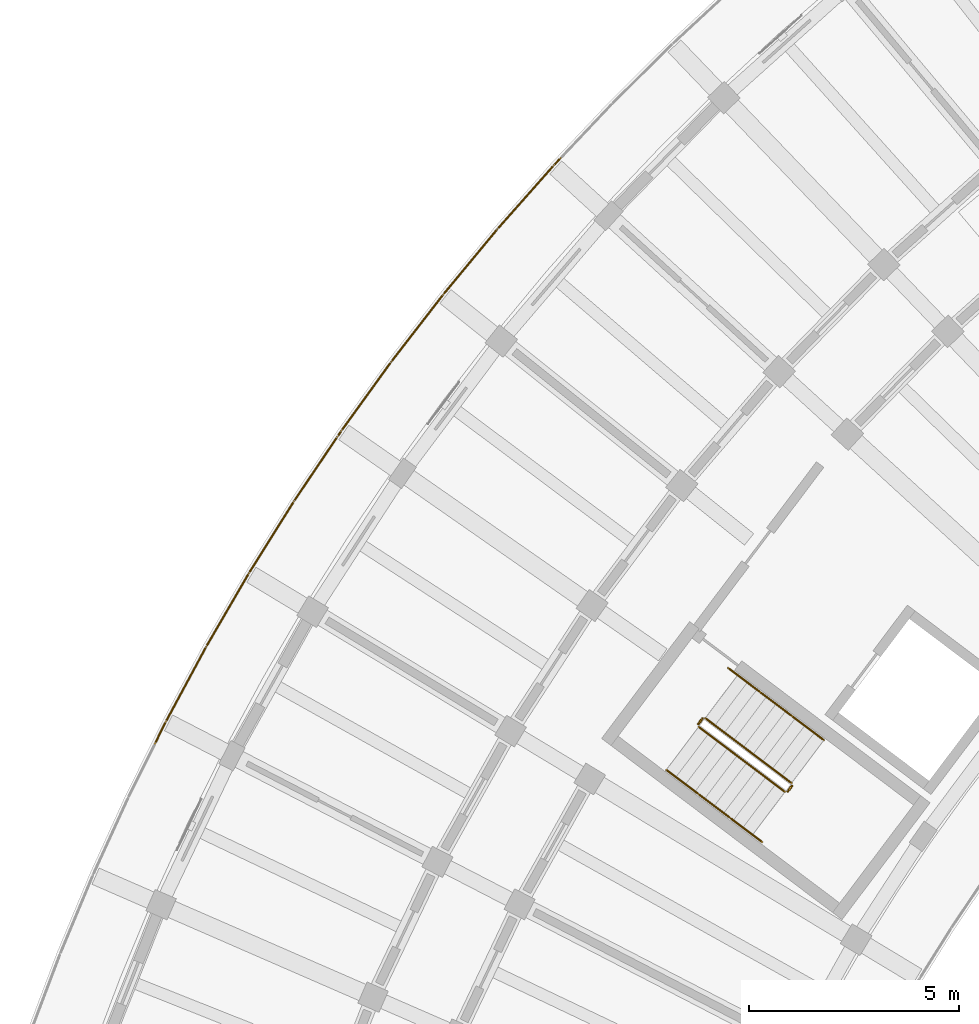
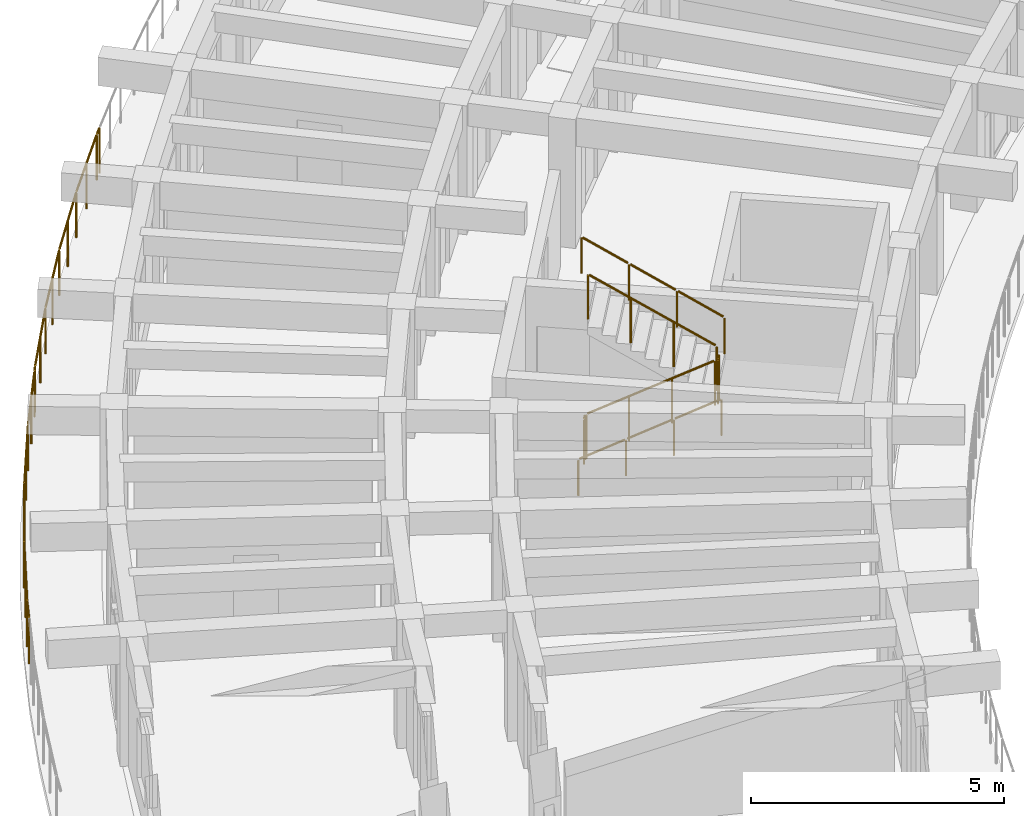
# One storey, part 70 of 81: 12 railings.
"""IFC4 building model written with IfcOpenShell, lengths in metres."""

import ifcopenshell
import ifcopenshell.guid

model = None  # the IFC model being written
_history = None  # IfcOwnerHistory: only IFC2X3 demands one
_inside = {}  # id of a spatial element -> (the spatial element, [elements in it])
_under = {}  # id of a project, library or spatial element -> (it, [spatial elements below it])
_declared = {}  # id of a project -> (the project, [libraries it declares])
_typed = {}  # id of a type object -> (the type object, [elements of that type])
_made_of = {}  # id of a material, layer set ... -> (it, [elements and type objects made of it])


def new_model(schema):
    """Start an empty IFC model of exactly this schema.

    Asked for "IFC4X3", IfcOpenShell would pick the latest addendum, in which some entities
    have other attributes; the version numbers below select the first issue.
    IFC2X3 requires an IfcOwnerHistory on every rooted entity: one is made here for all.
    """
    global model, _history
    if schema == "IFC4X3":
        model = ifcopenshell.file(schema_version=(4, 3, 0, 0))
    else:
        model = ifcopenshell.file(schema=schema)
    _inside.clear()
    _under.clear()
    _declared.clear()
    _typed.clear()
    _made_of.clear()
    _history = None
    if model.schema == "IFC2X3":
        org = make("IfcOrganization", Name="unknown")
        user = make(
            "IfcPersonAndOrganization",
            ThePerson=make("IfcPerson", FamilyName="unknown"),
            TheOrganization=org,
        )
        app = make(
            "IfcApplication",
            ApplicationDeveloper=org,
            Version="unknown",
            ApplicationFullName="unknown",
            ApplicationIdentifier="unknown",
        )
        _history = make(
            "IfcOwnerHistory",
            OwningUser=user,
            OwningApplication=app,
            ChangeAction="ADDED",
            CreationDate=0,
        )
    return model


def make(cls, **values):
    """One entity of the class cls with the attributes given. An attribute that is None is left unset."""
    return model.create_entity(
        cls, **{name: value for name, value in values.items() if value is not None}
    )


def rooted(cls, **values):
    """An entity with a GlobalId (a new one), such as an element, a storey or a relation."""
    return make(cls, GlobalId=ifcopenshell.guid.new(), OwnerHistory=_history, **values)


def si_unit(unit_type, name, prefix=None):
    """IfcSIUnit, for example si_unit("LENGTHUNIT", "METRE", prefix="MILLI")."""
    return make("IfcSIUnit", UnitType=unit_type, Prefix=prefix, Name=name)


def assignment(units):
    """IfcUnitAssignment: the units of a project."""
    return None if units is None else make("IfcUnitAssignment", Units=units)


def point(xyz):
    """IfcCartesianPoint."""
    return None if xyz is None else make("IfcCartesianPoint", Coordinates=xyz)


def direction(xyz):
    """IfcDirection."""
    return None if xyz is None else make("IfcDirection", DirectionRatios=xyz)


def frame(location, z_axis=None, x_axis=None):
    """IfcAxis2Placement3D, a coordinate frame: its origin and axes. An axis left out is left unset."""
    return make(
        "IfcAxis2Placement3D",
        Location=point(location),
        Axis=direction(z_axis),
        RefDirection=direction(x_axis),
    )


def frame_2d(location, x_axis=None):
    """IfcAxis2Placement2D, a coordinate frame in the plane: its origin and x axis."""
    return make(
        "IfcAxis2Placement2D", Location=point(location), RefDirection=direction(x_axis)
    )


def origin():
    """The frame at (0, 0, 0) with its axes left unset."""
    return frame((0.0, 0.0, 0.0))


def origin_2d():
    """The frame at (0, 0) in the plane with its x axis left unset."""
    return frame_2d((0.0, 0.0))


def place(relative_to, where):
    """IfcLocalPlacement: puts the frame where relative to a parent placement (None: the world)."""
    return make(
        "IfcLocalPlacement", PlacementRelTo=relative_to, RelativePlacement=where
    )


def context(
    kind, dimensions, precision=None, world=None, true_north=None, identifier=None
):
    """IfcGeometricRepresentationContext, for example the 3D "Model" context."""
    return make(
        "IfcGeometricRepresentationContext",
        ContextIdentifier=identifier,
        ContextType=kind,
        CoordinateSpaceDimension=dimensions,
        Precision=precision,
        WorldCoordinateSystem=world,
        TrueNorth=true_north,
    )


def subcontext(parent, identifier, kind, view, scale=None):
    """IfcGeometricRepresentationSubContext, for example "Body" below "Model"."""
    return make(
        "IfcGeometricRepresentationSubContext",
        ContextIdentifier=identifier,
        ContextType=kind,
        ParentContext=parent,
        TargetScale=scale,
        TargetView=view,
    )


def project(units=None, contexts=None):
    """IfcProject with its units and contexts."""
    return rooted(
        "IfcProject",
        Name="project",
        RepresentationContexts=contexts,
        UnitsInContext=assignment(units),
    )


def spatial(cls, under=None, at=None, **own):
    """A site, building, storey or space (cls), placed at a placement, below another one or the project."""
    s = rooted(cls, ObjectPlacement=at, **own)
    if under is not None:
        _under.setdefault(under.id(), (under, []))[1].append(s)
    return s


def profile(cls, at=None, kind="AREA", **sizes):
    """A parametric profile (cls). Its sizes go by their IFC names, for example OverallWidth=200.0."""
    return make(cls, ProfileType=kind, Position=at, **sizes)


def circle(**sizes):
    """IfcCircleProfileDef."""
    return profile("IfcCircleProfileDef", **sizes)


def extrude(swept, where, along, depth):
    """IfcExtrudedAreaSolid: the profile swept, set in the frame where, extruded along a direction by depth."""
    return make(
        "IfcExtrudedAreaSolid",
        SweptArea=swept,
        Position=where,
        ExtrudedDirection=direction(along),
        Depth=depth,
    )


def shape(context_of_items, identifier, shape_type, items):
    """IfcShapeRepresentation: the items that make up one representation, for example the "Body"."""
    return make(
        "IfcShapeRepresentation",
        ContextOfItems=context_of_items,
        RepresentationIdentifier=identifier,
        RepresentationType=shape_type,
        Items=items,
    )


def material(Name=None, Category=None):
    """IfcMaterial."""
    return make("IfcMaterial", Name=Name, Category=Category)


def made_of(thing, what):
    """Note that an element or type object is made of a material, layer set ...; save() writes the relation."""
    if what is not None:
        _made_of.setdefault(what.id(), (what, []))[1].append(thing)
    return thing


def type_object(cls, material=None, **own):
    """A type object (cls), such as IfcWallType, which elements share."""
    return made_of(rooted(cls, **own), material)


def element(
    cls,
    number,
    at=None,
    inside=None,
    cuts=None,
    type_object=None,
    material=None,
    context=None,
    identifier="Body",
    shape_type=None,
    held_by="IfcProductDefinitionShape",
    body=None,
    shapes=None,
    **own,
):
    """One element of the class cls, such as IfcWall. Its Tag is "e" and its number.

    at: its placement. inside: the storey or other place that contains it. cuts: it is an
    opening in that element (IfcRelVoidsElement). A single representation is given by context,
    identifier, shape_type and body (its items); several are given by shapes. held_by: the class
    of the entity that holds the representations. save() writes the other relations.
    """
    e = rooted(cls, Tag="e%d" % number, ObjectPlacement=at, **own)
    if body is not None:
        shapes = [shape(context, identifier, shape_type, body)]
    if shapes is not None:
        e.Representation = make(held_by, Representations=shapes)
    if inside is not None:
        _inside.setdefault(inside.id(), (inside, []))[1].append(e)
    if cuts is not None:
        rooted(
            "IfcRelVoidsElement", RelatingBuildingElement=cuts, RelatedOpeningElement=e
        )
    if type_object is not None:
        _typed.setdefault(type_object.id(), (type_object, []))[1].append(e)
    return made_of(e, material)


def aggregate(whole, parts):
    """IfcRelAggregates: a whole, such as a stair, and the parts it consists of."""
    return rooted("IfcRelAggregates", RelatingObject=whole, RelatedObjects=parts)


def save(model, path):
    """Write the relations noted so far, then the file.

    IfcRelAggregates (storeys below a building ...), IfcRelContainedInSpatialStructure (elements
    in a storey), IfcRelDefinesByType, IfcRelAssociatesMaterial and IfcRelDeclares: one each for
    every whole, place, type object, material and project.
    """
    for whole, parts in _under.values():
        aggregate(whole, parts)
    for where, things in _inside.values():
        rooted(
            "IfcRelContainedInSpatialStructure",
            RelatedElements=things,
            RelatingStructure=where,
        )
    for kind, things in _typed.values():
        rooted("IfcRelDefinesByType", RelatedObjects=things, RelatingType=kind)
    for what, things in _made_of.values():
        rooted("IfcRelAssociatesMaterial", RelatedObjects=things, RelatingMaterial=what)
    for by, libraries in _declared.values():
        rooted("IfcRelDeclares", RelatingContext=by, RelatedDefinitions=libraries)
    model.write(path)


model = new_model("IFC4")

# Units and contexts
model_context = context("Model", 3, precision=1e-05, world=origin(), true_north=direction((0.0, 1.0)))
body_context = subcontext(model_context, "Body", "Model", "MODEL_VIEW")
ifc_project = project(units=[si_unit("LENGTHUNIT", "METRE"), si_unit("AREAUNIT", "SQUARE_METRE"), si_unit("VOLUMEUNIT", "CUBIC_METRE"), si_unit("PLANEANGLEUNIT", "RADIAN"), si_unit("MASSUNIT", "GRAM", prefix="KILO")], contexts=[model_context])

# Site, building, storey
site_placement = place(None, origin())
site = spatial("IfcSite", under=ifc_project, at=site_placement, CompositionType="ELEMENT")
building_placement = place(site_placement, origin())
building = spatial("IfcBuilding", under=site, at=building_placement, Name="Tanwirah Colonnade Gardens", CompositionType="ELEMENT")
storey_placement = place(building_placement, frame((0.0, 0.0, 8.840087890625)))
storey = spatial("IfcBuildingStorey", under=building, at=storey_placement, Name="L02", CompositionType="ELEMENT", Elevation=8.840087890625)

# Railings
ifc_material_1 = material(Name="Precast concrete C40/50", Category="concrete")
railing_type_1 = type_object("IfcRailingType", Name="BAL-EXT112", PredefinedType="BALUSTRADE", material=ifc_material_1)
railing_1_placement = place(storey_placement, frame((10.266845703125, 87.8330078125, 0.0)))
element("IfcRailing", 1, at=railing_1_placement, inside=storey, type_object=railing_type_1, Name="Block A L02 Balcony Ribbon Balustrade 12", PredefinedType="BALUSTRADE", context=body_context, shape_type="SweptSolid", body=[
    extrude(circle(Radius=0.02392578125, at=origin_2d()), frame((0.013916015625, 0.028076171875, 1.09619140625), z_axis=(0.444368714855, 0.895843984887, 0.0), x_axis=(-0.895843984887, 0.444368714855, 0.0)), (0.0, 0.0, 1.0), 0.521484375),
    extrude(circle(Radius=0.02392578125, at=origin_2d()), frame((0.2744140625, 0.55078125, 1.09619140625), z_axis=(0.473826102441, 0.88061843306, 0.0), x_axis=(-0.88061843306, 0.473826102441, 0.0)), (0.0, 0.0, 1.0), 1.958740234375),
    extrude(circle(Radius=0.02392578125, at=origin_2d()), frame((1.23291015625, 2.330322265625, 1.09619140625), z_axis=(0.502421024862, 0.864623105045, 0.0), x_axis=(-0.864623105045, 0.502421024862, 0.0)), (0.0, 0.0, 1.0), 1.958984375),
    extrude(circle(Radius=0.02392578125, at=origin_2d()), frame((2.24951171875, 4.07763671875, 1.09619140625), z_axis=(0.530812919598, 0.847489023167, 0.0), x_axis=(-0.847489023167, 0.530812919598, 0.0)), (0.0, 0.0, 1.0), 1.958984375),
    extrude(circle(Radius=0.02392578125, at=origin_2d()), frame((3.3232421875, 5.7900390625, 1.09619140625), z_axis=(0.558315298827, 0.829628849001, 0.0), x_axis=(-0.829628849001, 0.558315298827, 0.0)), (0.0, 0.0, 1.0), 1.789306640625),
    extrude(circle(Radius=0.02099609375, at=origin_2d()), origin(), (0.0, 0.0, 1.0), 1.069091796875),
    extrude(circle(Radius=0.02099609375, at=origin_2d()), frame((0.259521484375, 0.523193359375, 0.0)), (0.0, 0.0, 1.0), 1.069091796875),
    extrude(circle(Radius=0.02099609375, at=origin_2d()), frame((0.73828125, 1.4130859375, 0.0)), (0.0, 0.0, 1.0), 1.069091796875),
    extrude(circle(Radius=0.02099609375, at=origin_2d()), frame((1.21728515625, 2.30322265625, 0.0)), (0.0, 0.0, 1.0), 1.069091796875),
    extrude(circle(Radius=0.02099609375, at=origin_2d()), frame((1.72509765625, 3.17724609375, 0.0)), (0.0, 0.0, 1.0), 1.069091796875),
    extrude(circle(Radius=0.02099609375, at=origin_2d()), frame((2.23291015625, 4.051025390625, 0.0)), (0.0, 0.0, 1.0), 1.069091796875),
    extrude(circle(Radius=0.02099609375, at=origin_2d()), frame((2.76953125, 4.90771484375, 0.0)), (0.0, 0.0, 1.0), 1.069091796875),
    extrude(circle(Radius=0.02099609375, at=origin_2d()), frame((3.305908203125, 5.76416015625, 0.0)), (0.0, 0.0, 1.0), 1.069091796875),
    extrude(circle(Radius=0.02099609375, at=origin_2d()), frame((3.82275390625, 6.5322265625, 0.0)), (0.0, 0.0, 1.0), 1.069091796875),
    extrude(circle(Radius=0.02099609375, at=origin_2d()), frame((4.33984375, 7.300537109375, 0.0)), (0.0, 0.0, 1.0), 1.069091796875),
])
railing_2_placement = place(storey_placement, frame((14.606689453125, 95.133544921875, 0.0)))
element("IfcRailing", 2, at=railing_2_placement, inside=storey, type_object=railing_type_1, Name="Block A L02 Balcony Ribbon Balustrade 13", PredefinedType="BALUSTRADE", context=body_context, shape_type="SweptSolid", body=[
    extrude(circle(Radius=0.02392578125, at=origin_2d()), frame((0.017578125, 0.02587890625, 1.09619140625), z_axis=(0.558681242275, 0.829382462758, 0.0), x_axis=(-0.829382462758, 0.558681242275, 0.0)), (0.0, 0.0, 1.0), 0.10693359375),
    extrude(circle(Radius=0.02392578125, at=origin_2d()), frame((0.113037109375, 0.166015625, 1.09619140625), z_axis=(0.585468507287, 0.810695150457, 0.0), x_axis=(-0.810695150457, 0.585468507287, 0.0)), (0.0, 0.0, 1.0), 1.958984375),
    extrude(circle(Radius=0.02392578125, at=origin_2d()), frame((1.29736328125, 1.80419921875, 1.09619140625), z_axis=(0.611856467608, 0.790968812942, 0.0), x_axis=(-0.790968812942, 0.611856467608, 0.0)), (0.0, 0.0, 1.0), 1.958984375),
    extrude(circle(Radius=0.02392578125, at=origin_2d()), frame((2.53515625, 3.402587890625, 1.09619140625), z_axis=(0.637555355491, 0.770404548717, 0.0), x_axis=(-0.770404548717, 0.637555355491, 0.0)), (0.0, 0.0, 1.0), 1.958984375),
    extrude(circle(Radius=0.02392578125, at=origin_2d()), frame((3.82470703125, 4.959228515625, 1.09619140625), z_axis=(0.662607760508, 0.748966591854, 0.0), x_axis=(-0.748966591854, 0.662607760508, 0.0)), (0.0, 0.0, 1.0), 1.958740234375),
    extrude(circle(Radius=0.02392578125, at=origin_2d()), frame((5.164794921875, 6.472412109375, 1.09619140625), z_axis=(0.686858017599, 0.726791623273, 0.0), x_axis=(-0.726791623273, 0.686858017599, 0.0)), (0.0, 0.0, 1.0), 0.18212890625),
    extrude(circle(Radius=0.02099609375, at=origin_2d()), origin(), (0.0, 0.0, 1.0), 1.069091796875),
    extrude(circle(Radius=0.02099609375, at=origin_2d()), frame((0.0947265625, 0.140625, 0.0)), (0.0, 0.0, 1.0), 1.069091796875),
    extrude(circle(Radius=0.02099609375, at=origin_2d()), frame((0.6865234375, 0.9599609375, 0.0)), (0.0, 0.0, 1.0), 1.069091796875),
    extrude(circle(Radius=0.02099609375, at=origin_2d()), frame((1.2783203125, 1.779541015625, 0.0)), (0.0, 0.0, 1.0), 1.069091796875),
    extrude(circle(Radius=0.02099609375, at=origin_2d()), frame((1.896728515625, 2.5791015625, 0.0)), (0.0, 0.0, 1.0), 1.069091796875),
    extrude(circle(Radius=0.02099609375, at=origin_2d()), frame((2.51513671875, 3.37841796875, 0.0)), (0.0, 0.0, 1.0), 1.069091796875),
    extrude(circle(Radius=0.02099609375, at=origin_2d()), frame((3.15966796875, 4.1572265625, 0.0)), (0.0, 0.0, 1.0), 1.069091796875),
    extrude(circle(Radius=0.02099609375, at=origin_2d()), frame((3.803955078125, 4.935791015625, 0.0)), (0.0, 0.0, 1.0), 1.069091796875),
    extrude(circle(Radius=0.02099609375, at=origin_2d()), frame((4.4736328125, 5.69287109375, 0.0)), (0.0, 0.0, 1.0), 1.069091796875),
    extrude(circle(Radius=0.02099609375, at=origin_2d()), frame((5.143310546875, 6.44970703125, 0.0)), (0.0, 0.0, 1.0), 1.069091796875),
    extrude(circle(Radius=0.02099609375, at=origin_2d()), frame((5.311279296875, 6.62744140625, 0.0)), (0.0, 0.0, 1.0), 1.069091796875),
])
ifc_material_2 = material(Name="Powder-coated galvanized steel", Category="steel")
railing_type_2 = type_object("IfcRailingType", Name="GRD-ST110", PredefinedType="GUARDRAIL", material=ifc_material_2)
railing_3_placement = place(storey_placement, frame((23.201416015625, 88.22900390625, 0.16796875)))
element("IfcRailing", 3, at=railing_3_placement, inside=storey, type_object=railing_type_2, Name="L02 ST-A2 stair guard 1", PredefinedType="GUARDRAIL", context=body_context, shape_type="SweptSolid", body=[
    extrude(circle(Radius=0.02392578125, at=origin_2d()), frame((0.021484375, -0.01611328125, 1.092041015625), z_axis=(0.688012363654, -0.518448596756, 0.507789365762), x_axis=(0.601810650199, 0.798638805285, 0.0)), (0.0, 0.0, 1.0), 2.9150390625),
    extrude(circle(Radius=0.02099609375, at=origin_2d()), origin(), (0.0, 0.0, 1.0), 1.049072265625),
    extrude(circle(Radius=0.02099609375, at=origin_2d()), frame((0.682861328125, -0.5146484375, 0.50390625)), (0.0, 0.0, 1.0), 1.049072265625),
    extrude(circle(Radius=0.02099609375, at=origin_2d()), frame((1.36572265625, -1.029052734375, 1.008056640625)), (0.0, 0.0, 1.0), 1.049072265625),
    extrude(circle(Radius=0.02099609375, at=origin_2d()), frame((2.048583984375, -1.543701171875, 1.511962890625)), (0.0, 0.0, 1.0), 1.049072265625),
])
railing_4_placement = place(storey_placement, frame((25.320068359375, 86.695068359375, 1.679931640625)))
element("IfcRailing", 4, at=railing_4_placement, inside=storey, type_object=railing_type_2, Name="L02 ST-A2 stair guard 2", PredefinedType="GUARDRAIL", context=body_context, shape_type="SweptSolid", body=[
    extrude(circle(Radius=0.02392578125, at=origin_2d()), frame((0.018798828125, 0.02490234375, 1.076171875), z_axis=(0.600975757569, 0.799267251183, 0.0), x_axis=(-0.799267251183, 0.600975757569, 0.0)), (0.0, 0.0, 1.0), 0.09765625),
    extrude(circle(Radius=0.02099609375, at=origin_2d()), origin(), (0.0, 0.0, 1.0), 1.049072265625),
    extrude(circle(Radius=0.02099609375, at=origin_2d()), frame((0.09619140625, 0.1279296875, 0.0)), (0.0, 0.0, 1.0), 1.049072265625),
])
railing_5_placement = place(storey_placement, frame((25.406494140625, 86.89306640625, 1.847900390625)))
element("IfcRailing", 5, at=railing_5_placement, inside=storey, type_object=railing_type_2, Name="L02 ST-A2 stair guard 3", PredefinedType="GUARDRAIL", context=body_context, shape_type="SweptSolid", body=[
    extrude(circle(Radius=0.02392578125, at=origin_2d()), frame((-0.021484375, 0.01611328125, 1.092041015625), z_axis=(-0.688041610417, 0.518388637952, 0.507810951414), x_axis=(-0.60174993816, -0.798684550949, 0.0)), (0.0, 0.0, 1.0), 2.914794921875),
    extrude(circle(Radius=0.02099609375, at=origin_2d()), origin(), (0.0, 0.0, 1.0), 1.049072265625),
    extrude(circle(Radius=0.02099609375, at=origin_2d()), frame((-0.682861328125, 0.514404296875, 0.50390625)), (0.0, 0.0, 1.0), 1.049072265625),
    extrude(circle(Radius=0.02099609375, at=origin_2d()), frame((-1.36572265625, 1.029052734375, 1.008056640625)), (0.0, 0.0, 1.0), 1.049072265625),
    extrude(circle(Radius=0.02099609375, at=origin_2d()), frame((-2.048583984375, 1.54345703125, 1.511962890625)), (0.0, 0.0, 1.0), 1.049072265625),
])
railing_6_placement = place(storey_placement, frame((23.191650390625, 88.299072265625, 0.0)))
element("IfcRailing", 6, at=railing_6_placement, inside=storey, type_object=railing_type_2, Name="L02 ST-A2 stair guard 4", PredefinedType="GUARDRAIL", context=body_context, shape_type="SweptSolid", body=[
    extrude(circle(Radius=0.02392578125, at=origin_2d()), frame((0.018798828125, 0.02490234375, 1.076171875), z_axis=(0.602681987584, 0.797981467104, 0.0), x_axis=(-0.797981467104, 0.602681987584, 0.0)), (0.0, 0.0, 1.0), 0.097412109375),
    extrude(circle(Radius=0.02099609375, at=origin_2d()), origin(), (0.0, 0.0, 1.0), 1.049072265625),
    extrude(circle(Radius=0.02099609375, at=origin_2d()), frame((0.096435546875, 0.127685546875, 0.0)), (0.0, 0.0, 1.0), 1.049072265625),
])
ifc_material_3 = material(Name="Brushed bronze stainless steel", Category="steel")
railing_type_3 = type_object("IfcRailingType", Name="HR-ST090", PredefinedType="HANDRAIL", material=ifc_material_3)
for number, where, name in (
    (7, (22.43115234375, 87.206787109375, 0.16796875), "L02 ST-A2 stair handrail 1"),
    (8, (23.18994140625, 86.635009765625, 0.73388671875), "L02 ST-A2 stair handrail 2"),
):
    element("IfcRailing", number, at=place(storey_placement, frame(where)), inside=storey, type_object=railing_type_3, Name=name, PredefinedType="HANDRAIL", context=body_context, shape_type="SweptSolid", body=[
        extrude(circle(Radius=0.02392578125, at=origin_2d()), frame((0.021484375, -0.01611328125, 0.891845703125), z_axis=(0.686145346169, -0.517037451972, 0.51173903231), x_axis=(0.601807485929, 0.798641189696, 0.0)), (0.0, 0.0, 1.0), 1.04345703125),
        extrude(circle(Radius=0.02099609375, at=origin_2d()), origin(), (0.0, 0.0, 1.0), 0.848876953125),
        extrude(circle(Radius=0.02099609375, at=origin_2d()), frame((0.7587890625, -0.57177734375, 0.56591796875)), (0.0, 0.0, 1.0), 0.848876953125),
    ])
railing_7_placement = place(storey_placement, frame((23.94873046875, 86.063232421875, 1.2998046875)))
element("IfcRailing", 9, at=railing_7_placement, inside=storey, type_object=railing_type_3, Name="L02 ST-A2 stair handrail 3", PredefinedType="HANDRAIL", context=body_context, shape_type="SweptSolid", body=[
    extrude(circle(Radius=0.02392578125, at=origin_2d()), frame((0.021484375, -0.01611328125, 0.891845703125), z_axis=(0.685950957095, -0.517057335538, 0.511979488092), x_axis=(0.601931007785, 0.798548096152, 0.0)), (0.0, 0.0, 1.0), 1.043212890625),
    extrude(circle(Radius=0.02099609375, at=origin_2d()), origin(), (0.0, 0.0, 1.0), 0.848876953125),
    extrude(circle(Radius=0.02099609375, at=origin_2d()), frame((0.758544921875, -0.57177734375, 0.566162109375)), (0.0, 0.0, 1.0), 0.848876953125),
])
railing_8_placement = place(storey_placement, frame((26.1767578125, 87.915283203125, 1.847900390625)))
element("IfcRailing", 10, at=railing_8_placement, inside=storey, type_object=railing_type_3, Name="L02 ST-A2 stair handrail 4", PredefinedType="HANDRAIL", context=body_context, shape_type="SweptSolid", body=[
    extrude(circle(Radius=0.02392578125, at=origin_2d()), frame((-0.021484375, 0.01611328125, 0.891845703125), z_axis=(-0.686028488458, 0.517115777267, 0.511816554955), x_axis=(-0.601931007785, -0.798548096152, 0.0)), (0.0, 0.0, 1.0), 1.043212890625),
    extrude(circle(Radius=0.02099609375, at=origin_2d()), origin(), (0.0, 0.0, 1.0), 0.848876953125),
    extrude(circle(Radius=0.02099609375, at=origin_2d()), frame((-0.758544921875, 0.57177734375, 0.56591796875)), (0.0, 0.0, 1.0), 0.848876953125),
])
railing_9_placement = place(storey_placement, frame((25.418212890625, 88.487060546875, 2.413818359375)))
element("IfcRailing", 11, at=railing_9_placement, inside=storey, type_object=railing_type_3, Name="L02 ST-A2 stair handrail 5", PredefinedType="HANDRAIL", context=body_context, shape_type="SweptSolid", body=[
    extrude(circle(Radius=0.02392578125, at=origin_2d()), frame((-0.021484375, 0.01611328125, 0.891845703125), z_axis=(-0.686146115326, 0.516817263828, 0.511960373694), x_axis=(-0.601643549736, -0.798764695677, 0.0)), (0.0, 0.0, 1.0), 1.04345703125),
    extrude(circle(Radius=0.02099609375, at=origin_2d()), origin(), (0.0, 0.0, 1.0), 0.848876953125),
    extrude(circle(Radius=0.02099609375, at=origin_2d()), frame((-0.7587890625, 0.571533203125, 0.566162109375)), (0.0, 0.0, 1.0), 0.848876953125),
])
railing_10_placement = place(storey_placement, frame((24.659423828125, 89.05859375, 2.97998046875)))
element("IfcRailing", 12, at=railing_10_placement, inside=storey, type_object=railing_type_3, Name="L02 ST-A2 stair handrail 6", PredefinedType="HANDRAIL", context=body_context, shape_type="SweptSolid", body=[
    extrude(circle(Radius=0.02392578125, at=origin_2d()), frame((-0.021484375, 0.01611328125, 0.891845703125), z_axis=(-0.686145346169, 0.517037451972, 0.51173903231), x_axis=(-0.601807485929, -0.798641189696, 0.0)), (0.0, 0.0, 1.0), 1.04345703125),
    extrude(circle(Radius=0.02099609375, at=origin_2d()), origin(), (0.0, 0.0, 1.0), 0.848876953125),
    extrude(circle(Radius=0.02099609375, at=origin_2d()), frame((-0.7587890625, 0.57177734375, 0.56591796875)), (0.0, 0.0, 1.0), 0.848876953125),
])

save(model, "model.ifc")
